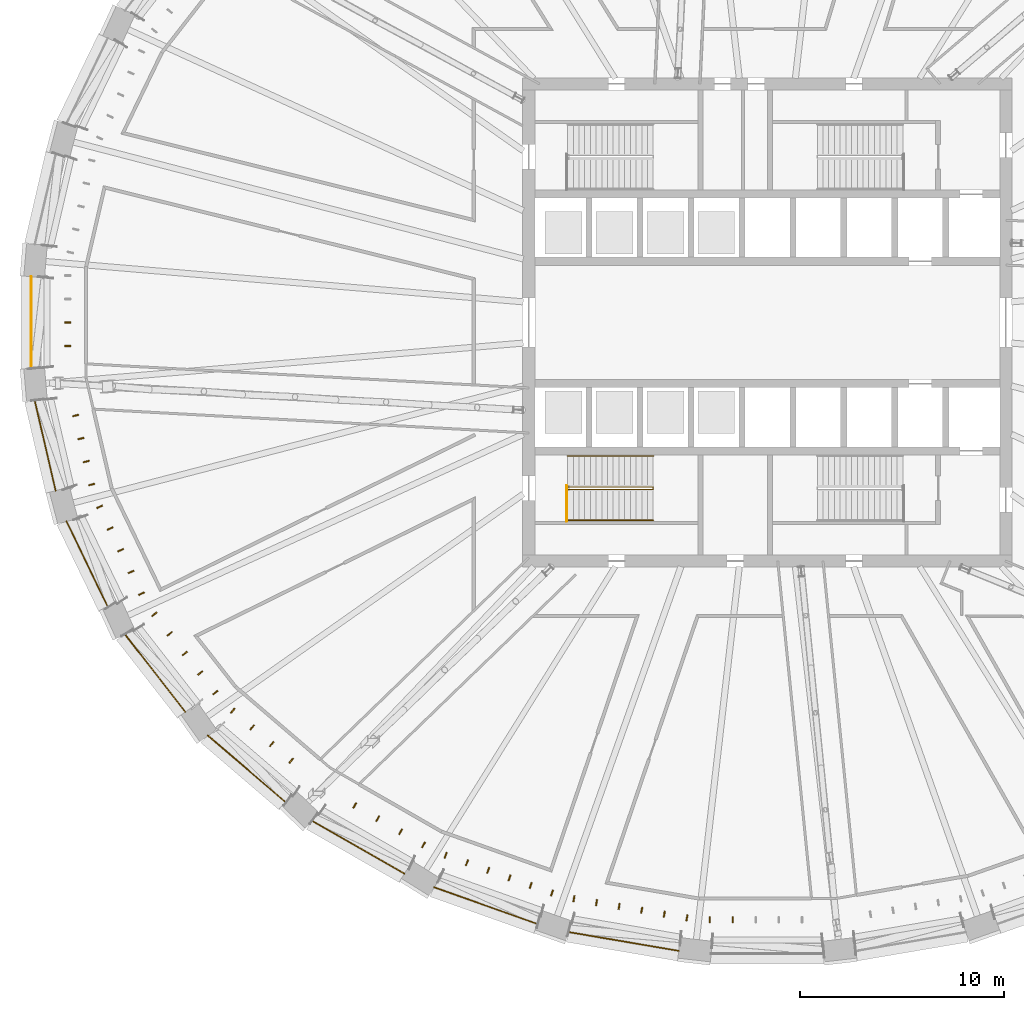
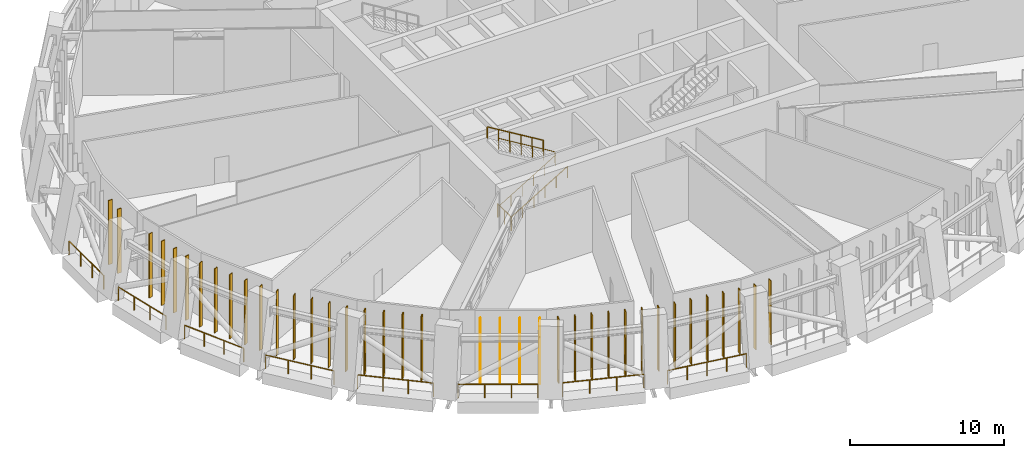
# One storey, part 17 of 22: 38 shading devices, 12 railings.
"""IFC4 building model written with IfcOpenShell, lengths in metres."""

from ifc_helpers import new_model, si_unit, direction, frame, origin, origin_2d, place, context, subcontext, project, spatial, rectangle, circle, extrude, material, material_profile, profile_set, type_object, element, save


model = new_model("IFC4")

# Units and contexts
model_context = context("Model", 3, precision=1e-05, world=origin(), true_north=direction((0.0, 1.0)))
body_context = subcontext(model_context, "Body", "Model", "MODEL_VIEW")
ifc_project = project(units=[si_unit("LENGTHUNIT", "METRE"), si_unit("AREAUNIT", "SQUARE_METRE"), si_unit("VOLUMEUNIT", "CUBIC_METRE"), si_unit("PLANEANGLEUNIT", "RADIAN"), si_unit("MASSUNIT", "GRAM", prefix="KILO")], contexts=[model_context])

# Site, building, storey
site_placement = place(None, origin())
site = spatial("IfcSite", under=ifc_project, at=site_placement, CompositionType="ELEMENT")
building_placement = place(site_placement, origin())
building = spatial("IfcBuilding", under=site, at=building_placement, Name="Halqa Exchange Tower", CompositionType="ELEMENT")
storey_placement = place(building_placement, frame((0.0, 0.0, 99.10009765625)))
storey = spatial("IfcBuildingStorey", under=building, at=storey_placement, Name="L22", CompositionType="ELEMENT", Elevation=99.10009765625)

# Shading devices
ifc_material_1 = material(Name="Anodised aluminium", Category="aluminium")
ifc_material_profile = material_profile(ifc_material_1, rectangle(XDim=0.300048828125, YDim=0.06005859375, at=origin_2d()), Name="AL FIN 300x60")
ifc_profile_set = profile_set([ifc_material_profile], Name="Anodised aluminium")
shading_device_type = type_object("IfcShadingDeviceType", Name="Aluminium louvre FIN 300 x 60", PredefinedType="USERDEFINED", material=ifc_profile_set)
for number, where, z_axis, x_axis, name in (
    (1, (-34.319580078125, 0.0, 0.0), (0.0, 0.0, 1.0), (1.0, 0.0, 0.0), "Louvre FIN 16.3"),
    (2, (-34.319580078125, -1.1494140625, 0.0), (0.0, 0.0, 1.0), (1.0, 0.0, 0.0), "Louvre FIN 16.4"),
    (3, (-33.927001953125, -4.565185546875, 0.0), (0.0, 0.0, 1.0), (0.974111871643, 0.226066498012, 0.0), "Louvre FIN 17.2"),
    (4, (-33.665283203125, -5.693115234375, 0.0), (0.0, 0.0, 1.0), (0.974111871643, 0.226066498012, 0.0), "Louvre FIN 17.3"),
    (5, (-33.4033203125, -6.82080078125, 0.0), (0.0, 0.0, 1.0), (0.974111871643, 0.226066498012, 0.0), "Louvre FIN 17.4"),
    (6, (-33.1416015625, -7.948974609375, 0.0), (0.0, 0.0, 1.0), (0.974111871643, 0.226066498012, 0.0), "Louvre FIN 17.5"),
    (7, (-32.753662109375, -9.044921875, 0.0), (0.0, 0.0, 1.0), (0.900384088715, 0.435095958139, 0.0), "Louvre FIN 18.1"),
    (8, (-32.2392578125, -10.109130859375, 0.0), (0.0, 0.0, 1.0), (0.900384088715, 0.435095958139, 0.0), "Louvre FIN 18.2"),
    (9, (-31.72509765625, -11.173583984375, 0.0), (0.0, 0.0, 1.0), (0.900384088715, 0.435095958139, 0.0), "Louvre FIN 18.3"),
    (10, (-31.210693359375, -12.23779296875, 0.0), (0.0, 0.0, 1.0), (0.900384088715, 0.435095958139, 0.0), "Louvre FIN 18.4"),
    (11, (-30.696533203125, -13.302001953125, 0.0), (0.0, 0.0, 1.0), (0.900384088715, 0.435095958139, 0.0), "Louvre FIN 18.5"),
    (12, (-30.065185546875, -14.314208984375, 0.0), (0.0, 0.0, 1.0), (0.788675428901, 0.614809781841, 0.0), "Louvre FIN 19.1"),
    (13, (-29.31689453125, -15.274169921875, 0.0), (0.0, 0.0, 1.0), (0.788675428901, 0.614809781841, 0.0), "Louvre FIN 19.2"),
    (14, (-28.568603515625, -16.234130859375, 0.0), (0.0, 0.0, 1.0), (0.788675428901, 0.614809781841, 0.0), "Louvre FIN 19.3"),
    (15, (-27.820068359375, -17.194091796875, 0.0), (0.0, 0.0, 1.0), (0.788675428901, 0.614809781841, 0.0), "Louvre FIN 19.4"),
    (16, (-27.07177734375, -18.154052734375, 0.0), (0.0, 0.0, 1.0), (0.788675428901, 0.614809781841, 0.0), "Louvre FIN 19.5"),
    (17, (-26.22021484375, -19.043212890625, 0.0), (0.0, 0.0, 1.0), (0.65078481863, 0.759262220739, 0.0), "Louvre FIN 20.1"),
    (18, (-25.265625, -19.861572265625, 0.0), (0.0, 0.0, 1.0), (0.65078481863, 0.759262220739, 0.0), "Louvre FIN 20.2"),
    (19, (-24.310791015625, -20.6796875, 0.0), (0.0, 0.0, 1.0), (0.65078481863, 0.759262220739, 0.0), "Louvre FIN 20.3"),
    (20, (-23.356201171875, -21.498046875, 0.0), (0.0, 0.0, 1.0), (0.65078481863, 0.759262220739, 0.0), "Louvre FIN 20.4"),
    (21, (-20.237060546875, -23.69189453125, 0.0), (0.0, 0.0, 1.0), (0.496984562745, 0.867759381622, 0.0), "Louvre FIN 21.2"),
    (22, (-19.112060546875, -24.3359375, 0.0), (0.0, 0.0, 1.0), (0.496984562745, 0.867759381622, 0.0), "Louvre FIN 21.3"),
    (23, (-17.9873046875, -24.980224609375, 0.0), (0.0, 0.0, 1.0), (0.496984562745, 0.867759381622, 0.0), "Louvre FIN 21.4"),
    (24, (-16.862548828125, -25.62451171875, 0.0), (0.0, 0.0, 1.0), (0.496984562745, 0.867759381622, 0.0), "Louvre FIN 21.5"),
    (25, (-15.778564453125, -26.131591796875, 0.0), (0.0, 0.0, 1.0), (0.334578355387, 0.94236793457, 0.0), "Louvre FIN 22.1"),
    (26, (-14.7353515625, -26.501953125, 0.0), (0.0, 0.0, 1.0), (0.334578355387, 0.94236793457, 0.0), "Louvre FIN 22.2"),
    (27, (-13.6923828125, -26.872314453125, 0.0), (0.0, 0.0, 1.0), (0.334578355387, 0.94236793457, 0.0), "Louvre FIN 22.3"),
    (28, (-12.649169921875, -27.24267578125, 0.0), (0.0, 0.0, 1.0), (0.334578355387, 0.94236793457, 0.0), "Louvre FIN 22.4"),
    (29, (-11.606201171875, -27.613037109375, 0.0), (0.0, 0.0, 1.0), (0.334578355387, 0.94236793457, 0.0), "Louvre FIN 22.5"),
    (30, (-10.56298828125, -27.9833984375, 0.0), (0.0, 0.0, 1.0), (0.334578355387, 0.94236793457, 0.0), "Louvre FIN 22.6"),
    (31, (-9.4873046875, -28.26318359375, 0.0), (0.0, 0.0, 1.0), (0.168067871785, 0.985775425984, 0.0), "Louvre FIN 23.1"),
    (32, (-8.37890625, -28.451904296875, 0.0), (0.0, 0.0, 1.0), (0.168067871785, 0.985775425984, 0.0), "Louvre FIN 23.2"),
    (33, (-7.2705078125, -28.64111328125, 0.0), (0.0, 0.0, 1.0), (0.168067871785, 0.985775425984, 0.0), "Louvre FIN 23.3"),
    (34, (-6.162109375, -28.830078125, 0.0), (0.0, 0.0, 1.0), (0.168067871785, 0.985775425984, 0.0), "Louvre FIN 23.4"),
    (35, (-5.0537109375, -29.018798828125, 0.0), (0.0, 0.0, 1.0), (0.168067871785, 0.985775425984, 0.0), "Louvre FIN 23.5"),
    (36, (-3.945556640625, -29.2080078125, 0.0), (0.0, 0.0, 1.0), (0.168067871785, 0.985775425984, 0.0), "Louvre FIN 23.6"),
    (37, (-2.826171875, -29.302490234375, 0.0), (0.0, 0.0, 1.0), (0.0, 1.0, 0.0), "Louvre FIN 24.1"),
    (38, (-1.695556640625, -29.302490234375, 0.0), (0.0, 0.0, 1.0), (0.0, 1.0, 0.0), "Louvre FIN 24.2"),
):
    element("IfcShadingDevice", number, at=place(storey_placement, frame(where, z_axis=z_axis, x_axis=x_axis)), inside=storey, type_object=shading_device_type, Name=name, ObjectType="FIN", PredefinedType="USERDEFINED", context=body_context, shape_type="SweptSolid", body=[
        extrude(rectangle(XDim=0.300048828125, YDim=0.06005859375, at=origin_2d()), origin(), (0.0, 0.0, 1.0), 5.099853515625),
    ])

# Railings
ifc_material_2 = material(Name="Stainless steel", Category="steel")
railing_type_1 = type_object("IfcRailingType", Name="Guard 1100 stainless steel", PredefinedType="GUARDRAIL", material=ifc_material_2)
railing_1_placement = place(storey_placement, frame((-36.11474609375, 2.248779296875, 0.0)))
element("IfcRailing", 39, at=railing_1_placement, inside=storey, type_object=railing_type_1, Name="Band edge guard 16", PredefinedType="GUARDRAIL", context=body_context, shape_type="SweptSolid", body=[
    extrude(circle(Radius=0.02392578125, at=origin_2d()), frame((0.0, 0.0, 1.076171875), z_axis=(0.0, -1.0, 0.0), x_axis=(1.0, 0.0, 0.0)), (0.0, 0.0, 1.0), 4.49755859375),
    extrude(circle(Radius=0.02099609375, at=origin_2d()), origin(), (0.0, 0.0, 1.0), 1.052001953125),
    extrude(circle(Radius=0.02099609375, at=origin_2d()), frame((0.0, -1.499267578125, 0.0)), (0.0, 0.0, 1.0), 1.052001953125),
    extrude(circle(Radius=0.02099609375, at=origin_2d()), frame((0.0, -2.998291015625, 0.0)), (0.0, 0.0, 1.0), 1.052001953125),
    extrude(circle(Radius=0.02099609375, at=origin_2d()), frame((0.0, -4.49755859375, 0.0)), (0.0, 0.0, 1.0), 1.052001953125),
])
railing_2_placement = place(storey_placement, frame((-35.933837890625, -3.828125, 0.0)))
element("IfcRailing", 40, at=railing_2_placement, inside=storey, type_object=railing_type_1, Name="Band edge guard 17", PredefinedType="GUARDRAIL", context=body_context, shape_type="SweptSolid", body=[
    extrude(circle(Radius=0.02392578125, at=origin_2d()), frame((0.0, 0.0, 1.076171875), z_axis=(0.226049512148, -0.974115813473, 0.0), x_axis=(0.974115813473, 0.226049512148, 0.0)), (0.0, 0.0, 1.0), 4.539306640625),
    extrude(circle(Radius=0.02099609375, at=origin_2d()), origin(), (0.0, 0.0, 1.0), 1.052001953125),
    extrude(circle(Radius=0.02099609375, at=origin_2d()), frame((0.342041015625, -1.473876953125, 0.0)), (0.0, 0.0, 1.0), 1.052001953125),
    extrude(circle(Radius=0.02099609375, at=origin_2d()), frame((0.68408203125, -2.947998046875, 0.0)), (0.0, 0.0, 1.0), 1.052001953125),
    extrude(circle(Radius=0.02099609375, at=origin_2d()), frame((1.026123046875, -4.421875, 0.0)), (0.0, 0.0, 1.0), 1.052001953125),
])
railing_3_placement = place(storey_placement, frame((-34.37890625, -9.749755859375, 0.0)))
element("IfcRailing", 41, at=railing_3_placement, inside=storey, type_object=railing_type_1, Name="Band edge guard 18", PredefinedType="GUARDRAIL", context=body_context, shape_type="SweptSolid", body=[
    extrude(circle(Radius=0.02392578125, at=origin_2d()), frame((0.0, 0.0, 1.076171875), z_axis=(0.435136078438, -0.900364700131, 0.0), x_axis=(0.900364700131, 0.435136078438, 0.0)), (0.0, 0.0, 1.0), 4.65673828125),
    extrude(circle(Radius=0.02099609375, at=origin_2d()), origin(), (0.0, 0.0, 1.0), 1.052001953125),
    extrude(circle(Radius=0.02099609375, at=origin_2d()), frame((0.675537109375, -1.397705078125, 0.0)), (0.0, 0.0, 1.0), 1.052001953125),
    extrude(circle(Radius=0.02099609375, at=origin_2d()), frame((1.350830078125, -2.795166015625, 0.0)), (0.0, 0.0, 1.0), 1.052001953125),
    extrude(circle(Radius=0.02099609375, at=origin_2d()), frame((2.0263671875, -4.19287109375, 0.0)), (0.0, 0.0, 1.0), 1.052001953125),
])
railing_4_placement = place(storey_placement, frame((-31.5126953125, -15.2939453125, 0.0)))
element("IfcRailing", 42, at=railing_4_placement, inside=storey, type_object=railing_type_1, Name="Band edge guard 19", PredefinedType="GUARDRAIL", context=body_context, shape_type="SweptSolid", body=[
    extrude(circle(Radius=0.02392578125, at=origin_2d()), frame((0.0, 0.0, 1.076171875), z_axis=(0.614829330742, -0.788660189219, 0.0), x_axis=(0.788660189219, 0.614829330742, 0.0)), (0.0, 0.0, 1.0), 4.82861328125),
    extrude(circle(Radius=0.02099609375, at=origin_2d()), origin(), (0.0, 0.0, 1.0), 1.052001953125),
    extrude(circle(Radius=0.02099609375, at=origin_2d()), frame((0.989501953125, -1.269287109375, 0.0)), (0.0, 0.0, 1.0), 1.052001953125),
    extrude(circle(Radius=0.02099609375, at=origin_2d()), frame((1.979248046875, -2.538818359375, 0.0)), (0.0, 0.0, 1.0), 1.052001953125),
    extrude(circle(Radius=0.02099609375, at=origin_2d()), frame((2.96875, -3.80810546875, 0.0)), (0.0, 0.0, 1.0), 1.052001953125),
])
railing_5_placement = place(storey_placement, frame((-27.44482421875, -20.253662109375, 0.0)))
element("IfcRailing", 43, at=railing_5_placement, inside=storey, type_object=railing_type_1, Name="Band edge guard 20", PredefinedType="GUARDRAIL", context=body_context, shape_type="SweptSolid", body=[
    extrude(circle(Radius=0.02392578125, at=origin_2d()), frame((0.0, 0.0, 1.076171875), z_axis=(0.759263460736, -0.650783371938, 0.0), x_axis=(0.650783371938, 0.759263460736, 0.0)), (0.0, 0.0, 1.0), 5.025390625),
    extrude(circle(Radius=0.02099609375, at=origin_2d()), origin(), (0.0, 0.0, 1.0), 1.052001953125),
    extrude(circle(Radius=0.02099609375, at=origin_2d()), frame((1.27197265625, -1.090087890625, 0.0)), (0.0, 0.0, 1.0), 1.052001953125),
    extrude(circle(Radius=0.02099609375, at=origin_2d()), frame((2.543701171875, -2.180419921875, 0.0)), (0.0, 0.0, 1.0), 1.052001953125),
    extrude(circle(Radius=0.02099609375, at=origin_2d()), frame((3.815673828125, -3.2705078125, 0.0)), (0.0, 0.0, 1.0), 1.052001953125),
])
railing_6_placement = place(storey_placement, frame((-22.32763671875, -24.4423828125, 0.0)))
element("IfcRailing", 44, at=railing_6_placement, inside=storey, type_object=railing_type_1, Name="Band edge guard 21", PredefinedType="GUARDRAIL", context=body_context, shape_type="SweptSolid", body=[
    extrude(circle(Radius=0.02392578125, at=origin_2d()), frame((0.0, 0.0, 1.076171875), z_axis=(0.867755983437, -0.496990496096, 0.0), x_axis=(0.496990496096, 0.867755983437, 0.0)), (0.0, 0.0, 1.0), 5.216552734375),
    extrude(circle(Radius=0.02099609375, at=origin_2d()), origin(), (0.0, 0.0, 1.0), 1.052001953125),
    extrude(circle(Radius=0.02099609375, at=origin_2d()), frame((1.5087890625, -0.8642578125, 0.0)), (0.0, 0.0, 1.0), 1.052001953125),
    extrude(circle(Radius=0.02099609375, at=origin_2d()), frame((3.017822265625, -1.728271484375, 0.0)), (0.0, 0.0, 1.0), 1.052001953125),
    extrude(circle(Radius=0.02099609375, at=origin_2d()), frame((4.526611328125, -2.592529296875, 0.0)), (0.0, 0.0, 1.0), 1.052001953125),
])
railing_7_placement = place(storey_placement, frame((-16.35302734375, -27.699951171875, 0.0)))
element("IfcRailing", 45, at=railing_7_placement, inside=storey, type_object=railing_type_1, Name="Band edge guard 22", PredefinedType="GUARDRAIL", context=body_context, shape_type="SweptSolid", body=[
    extrude(circle(Radius=0.02392578125, at=origin_2d()), frame((0.0, 0.0, 1.076171875), z_axis=(0.942363076556, -0.334592038075, 0.0), x_axis=(0.334592038075, 0.942363076556, 0.0)), (0.0, 0.0, 1.0), 5.374755859375),
    extrude(circle(Radius=0.02099609375, at=origin_2d()), origin(), (0.0, 0.0, 1.0), 1.052001953125),
    extrude(circle(Radius=0.02099609375, at=origin_2d()), frame((1.688232421875, -0.599365234375, 0.0)), (0.0, 0.0, 1.0), 1.052001953125),
    extrude(circle(Radius=0.02099609375, at=origin_2d()), frame((3.376708984375, -1.198974609375, 0.0)), (0.0, 0.0, 1.0), 1.052001953125),
    extrude(circle(Radius=0.02099609375, at=origin_2d()), frame((5.06494140625, -1.79833984375, 0.0)), (0.0, 0.0, 1.0), 1.052001953125),
])
railing_8_placement = place(storey_placement, frame((-9.74560546875, -29.900390625, 0.0)))
element("IfcRailing", 46, at=railing_8_placement, inside=storey, type_object=railing_type_1, Name="Band edge guard 23", PredefinedType="GUARDRAIL", context=body_context, shape_type="SweptSolid", body=[
    extrude(circle(Radius=0.02392578125, at=origin_2d()), frame((0.0, 0.0, 1.076171875), z_axis=(0.985775171727, -0.168069363079, 0.0), x_axis=(0.168069363079, 0.985775171727, 0.0)), (0.0, 0.0, 1.0), 5.477783203125),
    extrude(circle(Radius=0.02099609375, at=origin_2d()), origin(), (0.0, 0.0, 1.0), 1.052001953125),
    extrude(circle(Radius=0.02099609375, at=origin_2d()), frame((1.35009765625, -0.230224609375, 0.0)), (0.0, 0.0, 1.0), 1.052001953125),
    extrude(circle(Radius=0.02099609375, at=origin_2d()), frame((2.699951171875, -0.46044921875, 0.0)), (0.0, 0.0, 1.0), 1.052001953125),
    extrude(circle(Radius=0.02099609375, at=origin_2d()), frame((4.0498046875, -0.6904296875, 0.0)), (0.0, 0.0, 1.0), 1.052001953125),
    extrude(circle(Radius=0.02099609375, at=origin_2d()), frame((5.39990234375, -0.920654296875, 0.0)), (0.0, 0.0, 1.0), 1.052001953125),
])
railing_type_2 = type_object("IfcRailingType", Name="Stair handrail 900", PredefinedType="HANDRAIL", material=ifc_material_2)
railing_9_placement = place(storey_placement, frame((-9.800048828125, -8.18994140625, 0.168701171875)))
element("IfcRailing", 47, at=railing_9_placement, inside=storey, type_object=railing_type_2, Name="Handrail ST3.1", PredefinedType="HANDRAIL", context=body_context, shape_type="SweptSolid", body=[
    extrude(circle(Radius=0.02392578125, at=origin_2d()), frame((0.0, 0.0, 0.8759765625), z_axis=(0.856476492594, 0.0, 0.516186030065), x_axis=(0.0, 1.0, 0.0)), (0.0, 0.0, 1.0), 4.90380859375),
    extrude(circle(Radius=0.02392578125, at=origin_2d()), frame((4.199951171875, 0.0, 3.4072265625), z_axis=(0.0, 0.610043206925, 0.792368150348), x_axis=(-1.0, 0.0, 0.0)), (0.0, 0.0, 1.0), 0.212890625),
    extrude(circle(Radius=0.02392578125, at=origin_2d()), frame((4.199951171875, 0.1298828125, 3.57568359375), z_axis=(-0.856476492594, 0.0, 0.516186030065), x_axis=(0.0, -1.0, 0.0)), (0.0, 0.0, 1.0), 4.90380859375),
    extrude(circle(Radius=0.02099609375, at=origin_2d()), origin(), (0.0, 0.0, 1.0), 0.851806640625),
    extrude(circle(Radius=0.02099609375, at=origin_2d()), frame((0.840087890625, 0.0, 0.50634765625)), (0.0, 0.0, 1.0), 0.851806640625),
    extrude(circle(Radius=0.02099609375, at=origin_2d()), frame((1.679931640625, 0.0, 1.012451171875)), (0.0, 0.0, 1.0), 0.851806640625),
    extrude(circle(Radius=0.02099609375, at=origin_2d()), frame((2.52001953125, 0.0, 1.518798828125)), (0.0, 0.0, 1.0), 0.851806640625),
    extrude(circle(Radius=0.02099609375, at=origin_2d()), frame((3.35986328125, 0.0, 2.02490234375)), (0.0, 0.0, 1.0), 0.851806640625),
    extrude(circle(Radius=0.02099609375, at=origin_2d()), frame((4.199951171875, 0.0, 2.53125)), (0.0, 0.0, 1.0), 0.851806640625),
    extrude(circle(Radius=0.02099609375, at=origin_2d()), frame((4.199951171875, 0.1298828125, 2.699951171875)), (0.0, 0.0, 1.0), 0.851806640625),
    extrude(circle(Radius=0.02099609375, at=origin_2d()), frame((3.35986328125, 0.1298828125, 3.206298828125)), (0.0, 0.0, 1.0), 0.851806640625),
    extrude(circle(Radius=0.02099609375, at=origin_2d()), frame((2.52001953125, 0.1298828125, 3.71240234375)), (0.0, 0.0, 1.0), 0.851806640625),
    extrude(circle(Radius=0.02099609375, at=origin_2d()), frame((1.679931640625, 0.1298828125, 4.21875)), (0.0, 0.0, 1.0), 0.851806640625),
    extrude(circle(Radius=0.02099609375, at=origin_2d()), frame((0.840087890625, 0.1298828125, 4.724853515625)), (0.0, 0.0, 1.0), 0.851806640625),
    extrude(circle(Radius=0.02099609375, at=origin_2d()), frame((0.0, 0.1298828125, 5.231201171875)), (0.0, 0.0, 1.0), 0.851806640625),
])
railing_10_placement = place(storey_placement, frame((-9.800048828125, -9.699951171875, 0.168701171875)))
element("IfcRailing", 48, at=railing_10_placement, inside=storey, type_object=railing_type_2, Name="Handrail ST3.2", PredefinedType="HANDRAIL", context=body_context, shape_type="SweptSolid", body=[
    extrude(circle(Radius=0.02392578125, at=origin_2d()), frame((0.0, 0.0, 0.8759765625), z_axis=(0.856476492594, 0.0, 0.516186030065), x_axis=(0.0, 1.0, 0.0)), (0.0, 0.0, 1.0), 4.90380859375),
    extrude(circle(Radius=0.02099609375, at=origin_2d()), origin(), (0.0, 0.0, 1.0), 0.851806640625),
    extrude(circle(Radius=0.02099609375, at=origin_2d()), frame((0.840087890625, 0.0, 0.50634765625)), (0.0, 0.0, 1.0), 0.851806640625),
    extrude(circle(Radius=0.02099609375, at=origin_2d()), frame((1.679931640625, 0.0, 1.012451171875)), (0.0, 0.0, 1.0), 0.851806640625),
    extrude(circle(Radius=0.02099609375, at=origin_2d()), frame((2.52001953125, 0.0, 1.518798828125)), (0.0, 0.0, 1.0), 0.851806640625),
    extrude(circle(Radius=0.02099609375, at=origin_2d()), frame((3.35986328125, 0.0, 2.02490234375)), (0.0, 0.0, 1.0), 0.851806640625),
    extrude(circle(Radius=0.02099609375, at=origin_2d()), frame((4.199951171875, 0.0, 2.53125)), (0.0, 0.0, 1.0), 0.851806640625),
])
railing_11_placement = place(storey_placement, frame((-5.60009765625, -6.550048828125, 2.86865234375)))
element("IfcRailing", 49, at=railing_11_placement, inside=storey, type_object=railing_type_2, Name="Handrail ST3.3", PredefinedType="HANDRAIL", context=body_context, shape_type="SweptSolid", body=[
    extrude(circle(Radius=0.02392578125, at=origin_2d()), frame((0.0, 0.0, 0.8759765625), z_axis=(-0.856476492594, 0.0, 0.516186030065), x_axis=(0.0, -1.0, 0.0)), (0.0, 0.0, 1.0), 4.90380859375),
    extrude(circle(Radius=0.02099609375, at=origin_2d()), origin(), (0.0, 0.0, 1.0), 0.851806640625),
    extrude(circle(Radius=0.02099609375, at=origin_2d()), frame((-0.840087890625, 0.0, 0.50634765625)), (0.0, 0.0, 1.0), 0.851806640625),
    extrude(circle(Radius=0.02099609375, at=origin_2d()), frame((-1.679931640625, 0.0, 1.012451171875)), (0.0, 0.0, 1.0), 0.851806640625),
    extrude(circle(Radius=0.02099609375, at=origin_2d()), frame((-2.52001953125, 0.0, 1.518798828125)), (0.0, 0.0, 1.0), 0.851806640625),
    extrude(circle(Radius=0.02099609375, at=origin_2d()), frame((-3.35986328125, 0.0, 2.02490234375)), (0.0, 0.0, 1.0), 0.851806640625),
    extrude(circle(Radius=0.02099609375, at=origin_2d()), frame((-4.199951171875, 0.0, 2.53125)), (0.0, 0.0, 1.0), 0.851806640625),
])
railing_type_3 = type_object("IfcRailingType", Name="Stair well guard 1100", PredefinedType="GUARDRAIL", material=ifc_material_2)
railing_12_placement = place(storey_placement, frame((-9.85009765625, -9.75, 0.0)))
element("IfcRailing", 50, at=railing_12_placement, inside=storey, type_object=railing_type_3, Name="Guard ST3 well", PredefinedType="GUARDRAIL", context=body_context, shape_type="SweptSolid", body=[
    extrude(circle(Radius=0.02392578125, at=origin_2d()), frame((0.0, 0.0, 1.076171875), z_axis=(0.0, 1.0, 0.0), x_axis=(-1.0, 0.0, 0.0)), (0.0, 0.0, 1.0), 1.75),
    extrude(circle(Radius=0.02099609375, at=origin_2d()), origin(), (0.0, 0.0, 1.0), 1.052001953125),
    extrude(circle(Radius=0.02099609375, at=origin_2d()), frame((0.0, 0.875, 0.0)), (0.0, 0.0, 1.0), 1.052001953125),
    extrude(circle(Radius=0.02099609375, at=origin_2d()), frame((0.0, 1.75, 0.0)), (0.0, 0.0, 1.0), 1.052001953125),
])

save(model, "model.ifc")
